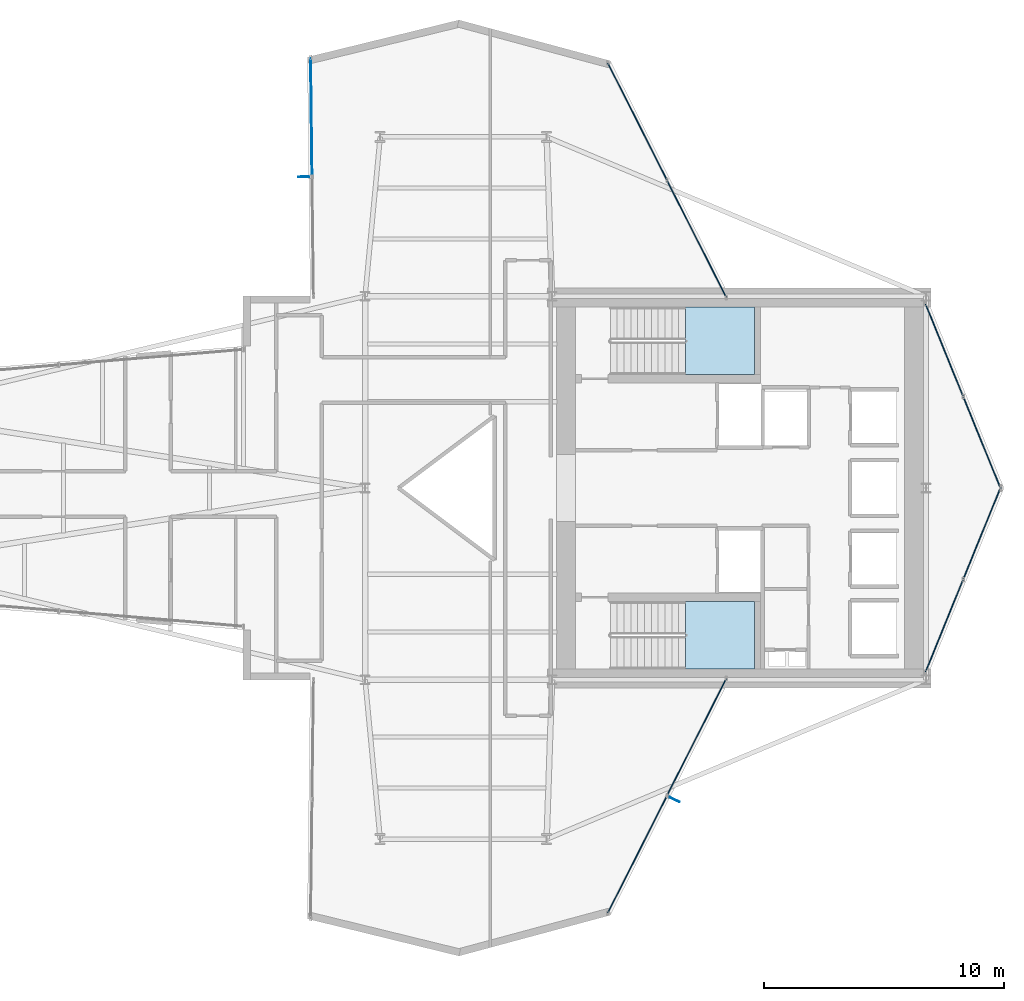
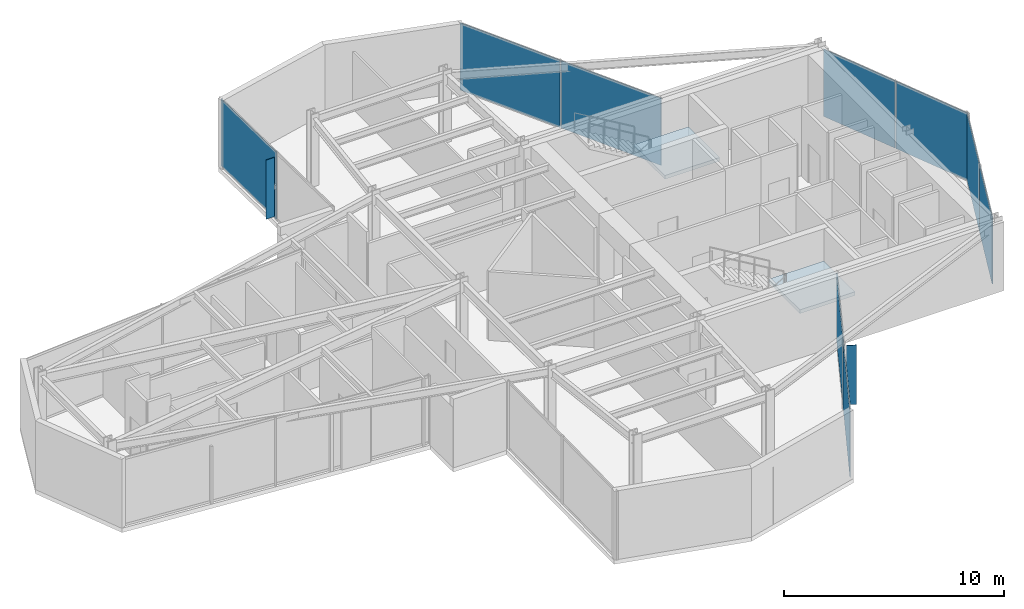
# One storey, part 21 of 25: 11 plates, 2 slabs, 7 elements without a shape of their own.
"""IFC4 building model written with IfcOpenShell, lengths in metres."""

from ifc_helpers import new_model, si_unit, direction, frame, origin, origin_2d, place, context, subcontext, project, spatial, polyline, rectangle, outline, extrude, material, layer, layer_set, type_object, element, aggregate, save


model = new_model("IFC4")

# Units and contexts
model_context = context("Model", 3, precision=1e-05, world=origin(), true_north=direction((0.0, 1.0)))
body_context = subcontext(model_context, "Body", "Model", "MODEL_VIEW")
ifc_project = project(units=[si_unit("LENGTHUNIT", "METRE"), si_unit("AREAUNIT", "SQUARE_METRE"), si_unit("VOLUMEUNIT", "CUBIC_METRE"), si_unit("PLANEANGLEUNIT", "RADIAN"), si_unit("MASSUNIT", "GRAM", prefix="KILO")], contexts=[model_context])

# Site, building, storey
site_placement = place(None, origin())
site = spatial("IfcSite", under=ifc_project, at=site_placement, CompositionType="ELEMENT")
building_placement = place(site_placement, origin())
building = spatial("IfcBuilding", under=site, at=building_placement, Name="Veymaron Broadcast Tower", CompositionType="ELEMENT")
storey_placement = place(building_placement, frame((0.0, 0.0, 129.0)))
storey = spatial("IfcBuildingStorey", under=building, at=storey_placement, Name="L29", CompositionType="ELEMENT", Elevation=129.0)

# Curtain wall, plates
ifc_material_1 = material(Name="Anodised aluminium AA 6063-T6 and laminated low-E dark glass", Category="aluminium")
ifc_layer_1 = layer(ifc_material_1, 0.179931640625)
ifc_layer_set_1 = layer_set([ifc_layer_1], Name="Anodised aluminium AA 6063-T6 and laminated low-E dark glass")
curtain_wall_type = type_object("IfcCurtainWallType", Name="CW-SYS-03", PredefinedType="NOTDEFINED", material=ifc_layer_set_1)
curtain_wall_1_placement = place(storey_placement, origin())
curtain_wall_1 = element("IfcCurtainWall", 1, at=curtain_wall_1_placement, inside=storey, type_object=curtain_wall_type, Name="L29 dark-glass curtain wall CW-L29-E2-1", PredefinedType="NOTDEFINED")
ifc_material_2 = material(Name="Insulated dark-anodised aluminium spandrel panel 40 mm", Category="aluminium")
ifc_layer_2 = layer(ifc_material_2, 0.0400390625)
ifc_layer_set_2 = layer_set([ifc_layer_2], Name="Insulated dark-anodised aluminium spandrel panel 40 mm")
plate_type_1 = type_object("IfcPlateType", Name="CW-PNL-03", PredefinedType="CURTAIN_PANEL", material=ifc_layer_set_2)
plate_1_placement = place(storey_placement, frame((55.361083984375, 18.241943359375, 0.0400390625), z_axis=(0.0, 0.0, 1.0), x_axis=(0.376871010412, 0.926265751019, 0.0)))
plate_1 = element("IfcPlate", 2, at=plate_1_placement, type_object=plate_type_1, Name="CW-L29-E2-1 unitised curtain panel 0", PredefinedType="CURTAIN_PANEL", context=body_context, shape_type="SweptSolid", body=[
    extrude(rectangle(XDim=4.122314453125, YDim=0.0400390625, at=origin_2d()), origin(), (0.0, 0.0, 1.0), 3.72998046875),
])
plate_2_placement = place(storey_placement, frame((56.937255859375, 22.11572265625, 0.0400390625), z_axis=(0.0, 0.0, 1.0), x_axis=(0.376871010412, 0.926265751019, 0.0)))
plate_2 = element("IfcPlate", 3, at=plate_2_placement, type_object=plate_type_1, Name="CW-L29-E2-1 unitised curtain panel 1", PredefinedType="CURTAIN_PANEL", context=body_context, shape_type="SweptSolid", body=[
    extrude(rectangle(XDim=4.122314453125, YDim=0.0400390625, at=origin_2d()), origin(), (0.0, 0.0, 1.0), 3.72998046875),
])
aggregate(curtain_wall_1, [plate_1, plate_2])

curtain_wall_2_placement = place(storey_placement, origin())
curtain_wall_2 = element("IfcCurtainWall", 4, at=curtain_wall_2_placement, inside=storey, type_object=curtain_wall_type, Name="L29 dark-glass curtain wall CW-L29-E3-1", PredefinedType="NOTDEFINED")
plate_3_placement = place(storey_placement, frame((56.937255859375, 25.88427734375, 0.0400390625), z_axis=(0.0, 0.0, 1.0), x_axis=(-0.376871010412, 0.926265751019, 0.0)))
plate_3 = element("IfcPlate", 5, at=plate_3_placement, type_object=plate_type_1, Name="CW-L29-E3-1 unitised curtain panel 0", PredefinedType="CURTAIN_PANEL", context=body_context, shape_type="SweptSolid", body=[
    extrude(rectangle(XDim=4.122314453125, YDim=0.0400390625, at=origin_2d()), origin(), (0.0, 0.0, 1.0), 3.72998046875),
])
plate_4_placement = place(storey_placement, frame((55.361083984375, 29.758056640625, 0.0400390625), z_axis=(0.0, 0.0, 1.0), x_axis=(-0.376871010412, 0.926265751019, 0.0)))
plate_4 = element("IfcPlate", 6, at=plate_4_placement, type_object=plate_type_1, Name="CW-L29-E3-1 unitised curtain panel 1", PredefinedType="CURTAIN_PANEL", context=body_context, shape_type="SweptSolid", body=[
    extrude(rectangle(XDim=4.122314453125, YDim=0.0400390625, at=origin_2d()), origin(), (0.0, 0.0, 1.0), 3.72998046875),
])
aggregate(curtain_wall_2, [plate_3, plate_4])

curtain_wall_3_placement = place(storey_placement, origin())
curtain_wall_3 = element("IfcCurtainWall", 7, at=curtain_wall_3_placement, inside=storey, type_object=curtain_wall_type, Name="L29 dark-glass curtain wall CW-L29-E5-1", PredefinedType="NOTDEFINED")
plate_5_placement = place(storey_placement, frame((45.031982421875, 34.389404296875, 0.0400390625), z_axis=(0.0, 0.0, 1.0), x_axis=(-0.450908697538, 0.892570079313, 0.0)))
plate_5 = element("IfcPlate", 8, at=plate_5_placement, type_object=plate_type_1, Name="CW-L29-E5-1 unitised curtain panel 0", PredefinedType="CURTAIN_PANEL", context=body_context, shape_type="SweptSolid", body=[
    extrude(rectangle(XDim=5.435302734375, YDim=0.0400390625, at=origin_2d()), origin(), (0.0, 0.0, 1.0), 3.72998046875),
])
plate_6_placement = place(storey_placement, frame((42.553955078125, 39.29443359375, 0.0400390625), z_axis=(0.0, 0.0, 1.0), x_axis=(-0.450908697538, 0.892570079313, 0.0)))
plate_6 = element("IfcPlate", 9, at=plate_6_placement, type_object=plate_type_1, Name="CW-L29-E5-1 unitised curtain panel 1", PredefinedType="CURTAIN_PANEL", context=body_context, shape_type="SweptSolid", body=[
    extrude(rectangle(XDim=5.435302734375, YDim=0.0400390625, at=origin_2d()), origin(), (0.0, 0.0, 1.0), 3.72998046875),
])
aggregate(curtain_wall_3, [plate_5, plate_6])

# Curtain wall, plate
curtain_wall_4_placement = place(storey_placement, origin())
curtain_wall_4 = element("IfcCurtainWall", 10, at=curtain_wall_4_placement, inside=storey, type_object=curtain_wall_type, Name="L29 dark-glass curtain wall CW-L29-E8-1", PredefinedType="NOTDEFINED")
plate_7_placement = place(storey_placement, frame((28.960205078125, 39.4755859375, 0.0400390625), z_axis=(0.0, 0.0, 1.0), x_axis=(0.012077384797, -0.999927065729, 0.0)))
plate_7 = element("IfcPlate", 11, at=plate_7_placement, type_object=plate_type_1, Name="CW-L29-E8-1 unitised curtain panel 0", PredefinedType="CURTAIN_PANEL", context=body_context, shape_type="SweptSolid", body=[
    extrude(rectangle(XDim=4.9228515625, YDim=0.0400390625, at=origin_2d()), origin(), (0.0, 0.0, 1.0), 3.72998046875),
])
aggregate(curtain_wall_4, [plate_7])

# Curtain wall, plates
curtain_wall_5_placement = place(storey_placement, origin())
curtain_wall_5 = element("IfcCurtainWall", 12, at=curtain_wall_5_placement, inside=storey, type_object=curtain_wall_type, Name="L29 dark-glass curtain wall CW-L29-E20-1", PredefinedType="NOTDEFINED")
plate_8_placement = place(storey_placement, frame((42.553955078125, 8.70556640625, 0.0400390625), z_axis=(0.0, 0.0, 1.0), x_axis=(0.450908697538, 0.892570079313, 0.0)))
plate_8 = element("IfcPlate", 13, at=plate_8_placement, type_object=plate_type_1, Name="CW-L29-E20-1 unitised curtain panel 0", PredefinedType="CURTAIN_PANEL", context=body_context, shape_type="SweptSolid", body=[
    extrude(rectangle(XDim=5.435302734375, YDim=0.0400390625, at=origin_2d()), origin(), (0.0, 0.0, 1.0), 3.72998046875),
])
plate_9_placement = place(storey_placement, frame((45.031982421875, 13.610595703125, 0.0400390625), z_axis=(0.0, 0.0, 1.0), x_axis=(0.450908697538, 0.892570079313, 0.0)))
plate_9 = element("IfcPlate", 14, at=plate_9_placement, type_object=plate_type_1, Name="CW-L29-E20-1 unitised curtain panel 1", PredefinedType="CURTAIN_PANEL", context=body_context, shape_type="SweptSolid", body=[
    extrude(rectangle(XDim=5.435302734375, YDim=0.0400390625, at=origin_2d()), origin(), (0.0, 0.0, 1.0), 3.72998046875),
])
aggregate(curtain_wall_5, [plate_8, plate_9])

# Plates
ifc_material_3 = material(Name="Dark-anodised aluminium AA 6061-T6", Category="aluminium")
ifc_layer_3 = layer(ifc_material_3, 0.034912109375)
ifc_layer_set_3 = layer_set([ifc_layer_3], Name="Dark-anodised aluminium AA 6061-T6")
plate_type_2 = type_object("IfcPlateType", Name="FIN-CHEV-01", PredefinedType="USERDEFINED", material=ifc_layer_set_3)
for number, where, z_axis, x_axis, name in (
    (15, (28.635009765625, 36.97998046875, 0.2666015625), (0.0, 0.0, 1.0), (-0.999927065729, -0.012077384797, 0.0), "CW-L29-E8-1 chevron fin 1"),
    (16, (44.10986328125, 10.998046875, 0.2666015625), (0.0, 0.0, 1.0), (0.892570079313, -0.450908697538, 0.0), "CW-L29-E20-1 chevron fin 1"),
):
    element("IfcPlate", number, at=place(storey_placement, frame(where, z_axis=z_axis, x_axis=x_axis)), inside=storey, type_object=plate_type_2, Name=name, ObjectType="FIN", PredefinedType="USERDEFINED", context=body_context, shape_type="SweptSolid", body=[
        extrude(rectangle(XDim=0.449951171875, YDim=0.034912109375, at=origin_2d()), origin(), (0.0, 0.0, 1.0), 3.276611328125),
    ])

# Stair, slab
ifc_material_4 = material(Name="Concrete C50/60", Category="concrete")
stair_type_1 = type_object("IfcStairType", Name="STAIR-CORE-1", PredefinedType="HALF_TURN_STAIR", material=ifc_material_4)
stair_1_placement = place(storey_placement, origin())
stair_1 = element("IfcStair", 17, at=stair_1_placement, inside=storey, type_object=stair_type_1, Name="L29 North protected dog-leg exit stair ST1", PredefinedType="HALF_TURN_STAIR")
ifc_layer_4 = layer(ifc_material_4, 0.199951171875)
ifc_layer_set_4 = layer_set([ifc_layer_4], Name="Concrete C50/60")
slab_type = type_object("IfcSlabType", Name="SLAB-STAIR-LDG", PredefinedType="LANDING", material=ifc_layer_set_4)
slab_1_placement = place(storey_placement, frame((0.0, 0.0, 1.824951171875)))
slab_1 = element("IfcSlab", 18, at=slab_1_placement, type_object=slab_type, Name="ST1 landing 1", PredefinedType="LANDING", context=body_context, shape_type="SweptSolid", body=[
    extrude(outline(polyline([(44.56494140625, 28.72998046875), (47.43994140625, 28.72998046875), (47.43994140625, 31.550048828125), (44.56494140625, 31.550048828125), (44.56494140625, 28.72998046875)])), origin(), (0.0, 0.0, 1.0), 0.199951171875),
])
aggregate(stair_1, [slab_1])

stair_type_2 = type_object("IfcStairType", Name="STAIR-CORE-2", PredefinedType="HALF_TURN_STAIR", material=ifc_material_4)
stair_2_placement = place(storey_placement, origin())
stair_2 = element("IfcStair", 19, at=stair_2_placement, inside=storey, type_object=stair_type_2, Name="L29 South protected dog-leg exit stair ST2", PredefinedType="HALF_TURN_STAIR")
slab_2_placement = place(storey_placement, frame((0.0, 0.0, 1.824951171875)))
slab_2 = element("IfcSlab", 20, at=slab_2_placement, type_object=slab_type, Name="ST2 landing 1", PredefinedType="LANDING", context=body_context, shape_type="SweptSolid", body=[
    extrude(outline(polyline([(44.56494140625, 16.449951171875), (47.43994140625, 16.449951171875), (47.43994140625, 19.27001953125), (44.56494140625, 19.27001953125), (44.56494140625, 16.449951171875)])), origin(), (0.0, 0.0, 1.0), 0.199951171875),
])
aggregate(stair_2, [slab_2])

save(model, "model.ifc")
